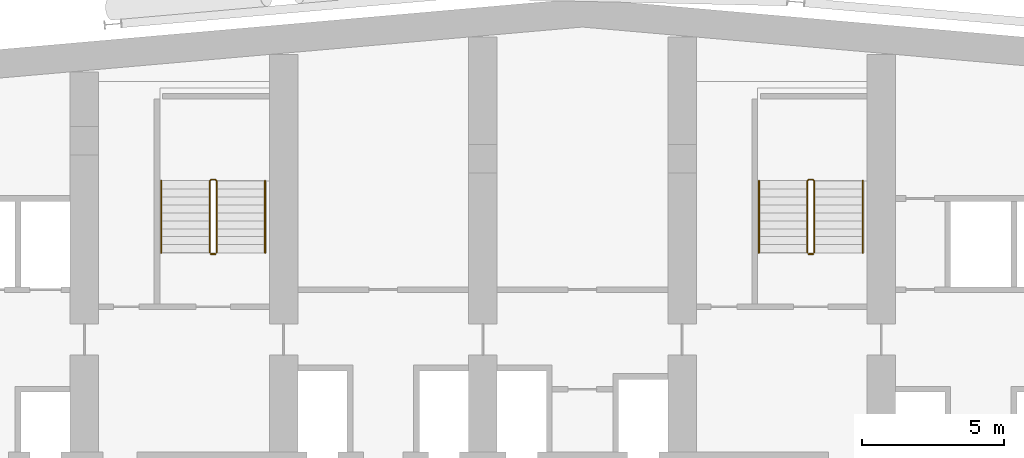
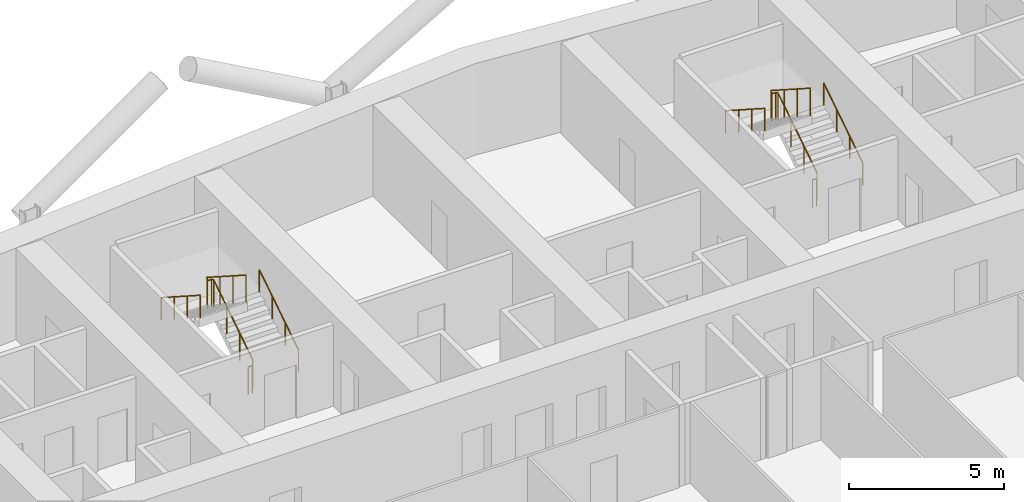
# One storey, part 24 of 25: 8 railings.
"""IFC4 building model written with IfcOpenShell, lengths in metres."""

from ifc_helpers import new_model, si_unit, direction, frame, origin, origin_2d, place, context, subcontext, project, spatial, circle, extrude, material, type_object, element, save


model = new_model("IFC4")

# Units and contexts
model_context = context("Model", 3, precision=1e-05, world=origin(), true_north=direction((0.0, 1.0)))
body_context = subcontext(model_context, "Body", "Model", "MODEL_VIEW")
ifc_project = project(units=[si_unit("LENGTHUNIT", "METRE"), si_unit("AREAUNIT", "SQUARE_METRE"), si_unit("VOLUMEUNIT", "CUBIC_METRE"), si_unit("PLANEANGLEUNIT", "RADIAN"), si_unit("MASSUNIT", "GRAM", prefix="KILO")], contexts=[model_context])

# Site, building, storey
site_placement = place(None, origin())
site = spatial("IfcSite", under=ifc_project, at=site_placement, CompositionType="ELEMENT")
building_placement = place(site_placement, origin())
building = spatial("IfcBuilding", under=site, at=building_placement, Name="Wharfspan Tower", CompositionType="ELEMENT")
storey_placement = place(building_placement, frame((0.0, 0.0, 121.899902)))
storey = spatial("IfcBuildingStorey", under=building, at=storey_placement, Name="L28", CompositionType="ELEMENT", Elevation=121.899902)

# Railings
ifc_material = material(Name="Steel S355J2", Category="steel")
railing_type_1 = type_object("IfcRailingType", Name="Stair guard 1100", PredefinedType="GUARDRAIL", material=ifc_material)
railing_1_placement = place(storey_placement, frame((27.649902, 42.0, 0.180176)))
element("IfcRailing", 1, at=railing_1_placement, inside=storey, type_object=railing_type_1, Name="L28 ST1 stair guard 1", PredefinedType="GUARDRAIL", context=body_context, shape_type="SweptSolid", body=[
    extrude(circle(Radius=0.023926, at=origin_2d()), frame((0.0, 0.0, 1.076172), z_axis=(0.0, 0.8412, 0.540725), x_axis=(-1.0, 0.0, 0.0)), (0.0, 0.0, 1.0), 2.99585),
    extrude(circle(Radius=0.023926, at=origin_2d()), frame((0.0, 2.52002, 2.695801), z_axis=(-0.705376, 0.708834, 0.0), x_axis=(-0.708834, -0.705376, 0.0)), (0.0, 0.0, 1.0), 0.070557),
    extrude(circle(Radius=0.023926, at=origin_2d()), frame((-0.049805, 2.570068, 2.695801), z_axis=(-1.0, 0.0, 0.0), x_axis=(0.0, -1.0, 0.0)), (0.0, 0.0, 1.0), 0.150146),
    extrude(circle(Radius=0.023926, at=origin_2d()), frame((-0.199951, 2.570068, 2.695801), z_axis=(-0.258848, -0.258848, 0.930589), x_axis=(0.707107, -0.707107, 0.0)), (0.0, 0.0, 1.0), 0.193359),
    extrude(circle(Radius=0.023926, at=origin_2d()), frame((-0.25, 2.52002, 2.875977), z_axis=(0.0, -0.841163, 0.540782), x_axis=(1.0, 0.0, 0.0)), (0.0, 0.0, 1.0), 2.99585),
    extrude(circle(Radius=0.020996, at=origin_2d()), origin(), (0.0, 0.0, 1.0), 1.052002),
    extrude(circle(Radius=0.020996, at=origin_2d()), frame((0.0, 0.840088, 0.540039)), (0.0, 0.0, 1.0), 1.052002),
    extrude(circle(Radius=0.020996, at=origin_2d()), frame((0.0, 1.679932, 1.079834)), (0.0, 0.0, 1.0), 1.052002),
    extrude(circle(Radius=0.020996, at=origin_2d()), frame((0.0, 2.52002, 1.619873)), (0.0, 0.0, 1.0), 1.052002),
    extrude(circle(Radius=0.020996, at=origin_2d()), frame((-0.049805, 2.570068, 1.619873)), (0.0, 0.0, 1.0), 1.052002),
    extrude(circle(Radius=0.020996, at=origin_2d()), frame((-0.199951, 2.570068, 1.619873)), (0.0, 0.0, 1.0), 1.052002),
    extrude(circle(Radius=0.020996, at=origin_2d()), frame((-0.25, 2.52002, 1.799805)), (0.0, 0.0, 1.0), 1.052002),
    extrude(circle(Radius=0.020996, at=origin_2d()), frame((-0.25, 1.679932, 2.339844)), (0.0, 0.0, 1.0), 1.052002),
    extrude(circle(Radius=0.020996, at=origin_2d()), frame((-0.25, 0.840088, 2.879883)), (0.0, 0.0, 1.0), 1.052002),
    extrude(circle(Radius=0.020996, at=origin_2d()), frame((-0.25, 0.0, 3.419922)), (0.0, 0.0, 1.0), 1.052002),
])
railing_2_placement = place(storey_placement, frame((27.600098, 41.949951, 0.0)))
element("IfcRailing", 2, at=railing_2_placement, inside=storey, type_object=railing_type_1, Name="L28 ST1 stair guard 2", PredefinedType="GUARDRAIL", context=body_context, shape_type="SweptSolid", body=[
    extrude(circle(Radius=0.023926, at=origin_2d()), frame((0.0, 0.0, 1.076172), z_axis=(-1.0, 0.0, 0.0), x_axis=(0.0, -1.0, 0.0)), (0.0, 0.0, 1.0), 0.150146),
    extrude(circle(Radius=0.020996, at=origin_2d()), origin(), (0.0, 0.0, 1.0), 1.052002),
    extrude(circle(Radius=0.020996, at=origin_2d()), frame((-0.150146, 0.0, 0.0)), (0.0, 0.0, 1.0), 1.052002),
])
railing_3_placement = place(storey_placement, frame((48.649902, 42.0, 0.180176)))
element("IfcRailing", 3, at=railing_3_placement, inside=storey, type_object=railing_type_1, Name="L28 ST2 stair guard 1", PredefinedType="GUARDRAIL", context=body_context, shape_type="SweptSolid", body=[
    extrude(circle(Radius=0.023926, at=origin_2d()), frame((0.0, 0.0, 1.076172), z_axis=(0.0, 0.8412, 0.540725), x_axis=(-1.0, 0.0, 0.0)), (0.0, 0.0, 1.0), 2.99585),
    extrude(circle(Radius=0.023926, at=origin_2d()), frame((0.0, 2.52002, 2.695801), z_axis=(-0.705376, 0.708834, 0.0), x_axis=(-0.708834, -0.705376, 0.0)), (0.0, 0.0, 1.0), 0.070557),
    extrude(circle(Radius=0.023926, at=origin_2d()), frame((-0.049805, 2.570068, 2.695801), z_axis=(-1.0, 0.0, 0.0), x_axis=(0.0, -1.0, 0.0)), (0.0, 0.0, 1.0), 0.150146),
    extrude(circle(Radius=0.023926, at=origin_2d()), frame((-0.199951, 2.570068, 2.695801), z_axis=(-0.258848, -0.258848, 0.930589), x_axis=(0.707107, -0.707107, 0.0)), (0.0, 0.0, 1.0), 0.193359),
    extrude(circle(Radius=0.023926, at=origin_2d()), frame((-0.25, 2.52002, 2.875977), z_axis=(0.0, -0.841163, 0.540782), x_axis=(1.0, 0.0, 0.0)), (0.0, 0.0, 1.0), 2.99585),
    extrude(circle(Radius=0.020996, at=origin_2d()), origin(), (0.0, 0.0, 1.0), 1.052002),
    extrude(circle(Radius=0.020996, at=origin_2d()), frame((0.0, 0.840088, 0.540039)), (0.0, 0.0, 1.0), 1.052002),
    extrude(circle(Radius=0.020996, at=origin_2d()), frame((0.0, 1.679932, 1.079834)), (0.0, 0.0, 1.0), 1.052002),
    extrude(circle(Radius=0.020996, at=origin_2d()), frame((0.0, 2.52002, 1.619873)), (0.0, 0.0, 1.0), 1.052002),
    extrude(circle(Radius=0.020996, at=origin_2d()), frame((-0.049805, 2.570068, 1.619873)), (0.0, 0.0, 1.0), 1.052002),
    extrude(circle(Radius=0.020996, at=origin_2d()), frame((-0.199951, 2.570068, 1.619873)), (0.0, 0.0, 1.0), 1.052002),
    extrude(circle(Radius=0.020996, at=origin_2d()), frame((-0.25, 2.52002, 1.799805)), (0.0, 0.0, 1.0), 1.052002),
    extrude(circle(Radius=0.020996, at=origin_2d()), frame((-0.25, 1.679932, 2.339844)), (0.0, 0.0, 1.0), 1.052002),
    extrude(circle(Radius=0.020996, at=origin_2d()), frame((-0.25, 0.840088, 2.879883)), (0.0, 0.0, 1.0), 1.052002),
    extrude(circle(Radius=0.020996, at=origin_2d()), frame((-0.25, 0.0, 3.419922)), (0.0, 0.0, 1.0), 1.052002),
])
railing_4_placement = place(storey_placement, frame((48.600098, 41.949951, 0.0)))
element("IfcRailing", 4, at=railing_4_placement, inside=storey, type_object=railing_type_1, Name="L28 ST2 stair guard 2", PredefinedType="GUARDRAIL", context=body_context, shape_type="SweptSolid", body=[
    extrude(circle(Radius=0.023926, at=origin_2d()), frame((0.0, 0.0, 1.076172), z_axis=(-1.0, 0.0, 0.0), x_axis=(0.0, -1.0, 0.0)), (0.0, 0.0, 1.0), 0.150146),
    extrude(circle(Radius=0.020996, at=origin_2d()), origin(), (0.0, 0.0, 1.0), 1.052002),
    extrude(circle(Radius=0.020996, at=origin_2d()), frame((-0.150146, 0.0, 0.0)), (0.0, 0.0, 1.0), 1.052002),
])
railing_type_2 = type_object("IfcRailingType", Name="Stair handrail 900", PredefinedType="HANDRAIL", material=ifc_material)
railing_5_placement = place(storey_placement, frame((29.350098, 42.0, 0.180176)))
element("IfcRailing", 5, at=railing_5_placement, inside=storey, type_object=railing_type_2, Name="L28 ST1 stair handrail 1", PredefinedType="HANDRAIL", context=body_context, shape_type="SweptSolid", body=[
    extrude(circle(Radius=0.023926, at=origin_2d()), frame((0.0, 0.0, 0.875977), z_axis=(0.0, 0.8412, 0.540725), x_axis=(-1.0, 0.0, 0.0)), (0.0, 0.0, 1.0), 2.99585),
    extrude(circle(Radius=0.020996, at=origin_2d()), origin(), (0.0, 0.0, 1.0), 0.851807),
    extrude(circle(Radius=0.020996, at=origin_2d()), frame((0.0, 0.840088, 0.540039)), (0.0, 0.0, 1.0), 0.851807),
    extrude(circle(Radius=0.020996, at=origin_2d()), frame((0.0, 1.679932, 1.079834)), (0.0, 0.0, 1.0), 0.851807),
    extrude(circle(Radius=0.020996, at=origin_2d()), frame((0.0, 2.52002, 1.619873)), (0.0, 0.0, 1.0), 0.851807),
])
railing_6_placement = place(storey_placement, frame((25.699951, 44.52002, 1.97998)))
element("IfcRailing", 6, at=railing_6_placement, inside=storey, type_object=railing_type_2, Name="L28 ST1 stair handrail 2", PredefinedType="HANDRAIL", context=body_context, shape_type="SweptSolid", body=[
    extrude(circle(Radius=0.023926, at=origin_2d()), frame((0.0, 0.0, 0.875977), z_axis=(0.0, -0.841163, 0.540782), x_axis=(1.0, 0.0, 0.0)), (0.0, 0.0, 1.0), 2.99585),
    extrude(circle(Radius=0.020996, at=origin_2d()), origin(), (0.0, 0.0, 1.0), 0.851807),
    extrude(circle(Radius=0.020996, at=origin_2d()), frame((0.0, -0.840088, 0.540039)), (0.0, 0.0, 1.0), 0.851807),
    extrude(circle(Radius=0.020996, at=origin_2d()), frame((0.0, -1.679932, 1.080078)), (0.0, 0.0, 1.0), 0.851807),
    extrude(circle(Radius=0.020996, at=origin_2d()), frame((0.0, -2.52002, 1.620117)), (0.0, 0.0, 1.0), 0.851807),
])
railing_7_placement = place(storey_placement, frame((50.350098, 42.0, 0.180176)))
element("IfcRailing", 7, at=railing_7_placement, inside=storey, type_object=railing_type_2, Name="L28 ST2 stair handrail 1", PredefinedType="HANDRAIL", context=body_context, shape_type="SweptSolid", body=[
    extrude(circle(Radius=0.023926, at=origin_2d()), frame((0.0, 0.0, 0.875977), z_axis=(0.0, 0.8412, 0.540725), x_axis=(-1.0, 0.0, 0.0)), (0.0, 0.0, 1.0), 2.99585),
    extrude(circle(Radius=0.020996, at=origin_2d()), origin(), (0.0, 0.0, 1.0), 0.851807),
    extrude(circle(Radius=0.020996, at=origin_2d()), frame((0.0, 0.840088, 0.540039)), (0.0, 0.0, 1.0), 0.851807),
    extrude(circle(Radius=0.020996, at=origin_2d()), frame((0.0, 1.679932, 1.079834)), (0.0, 0.0, 1.0), 0.851807),
    extrude(circle(Radius=0.020996, at=origin_2d()), frame((0.0, 2.52002, 1.619873)), (0.0, 0.0, 1.0), 0.851807),
])
railing_8_placement = place(storey_placement, frame((46.699951, 44.52002, 1.97998)))
element("IfcRailing", 8, at=railing_8_placement, inside=storey, type_object=railing_type_2, Name="L28 ST2 stair handrail 2", PredefinedType="HANDRAIL", context=body_context, shape_type="SweptSolid", body=[
    extrude(circle(Radius=0.023926, at=origin_2d()), frame((0.0, 0.0, 0.875977), z_axis=(0.0, -0.841163, 0.540782), x_axis=(1.0, 0.0, 0.0)), (0.0, 0.0, 1.0), 2.99585),
    extrude(circle(Radius=0.020996, at=origin_2d()), origin(), (0.0, 0.0, 1.0), 0.851807),
    extrude(circle(Radius=0.020996, at=origin_2d()), frame((0.0, -0.840088, 0.540039)), (0.0, 0.0, 1.0), 0.851807),
    extrude(circle(Radius=0.020996, at=origin_2d()), frame((0.0, -1.679932, 1.080078)), (0.0, 0.0, 1.0), 0.851807),
    extrude(circle(Radius=0.020996, at=origin_2d()), frame((0.0, -2.52002, 1.620117)), (0.0, 0.0, 1.0), 0.851807),
])

save(model, "model.ifc")
